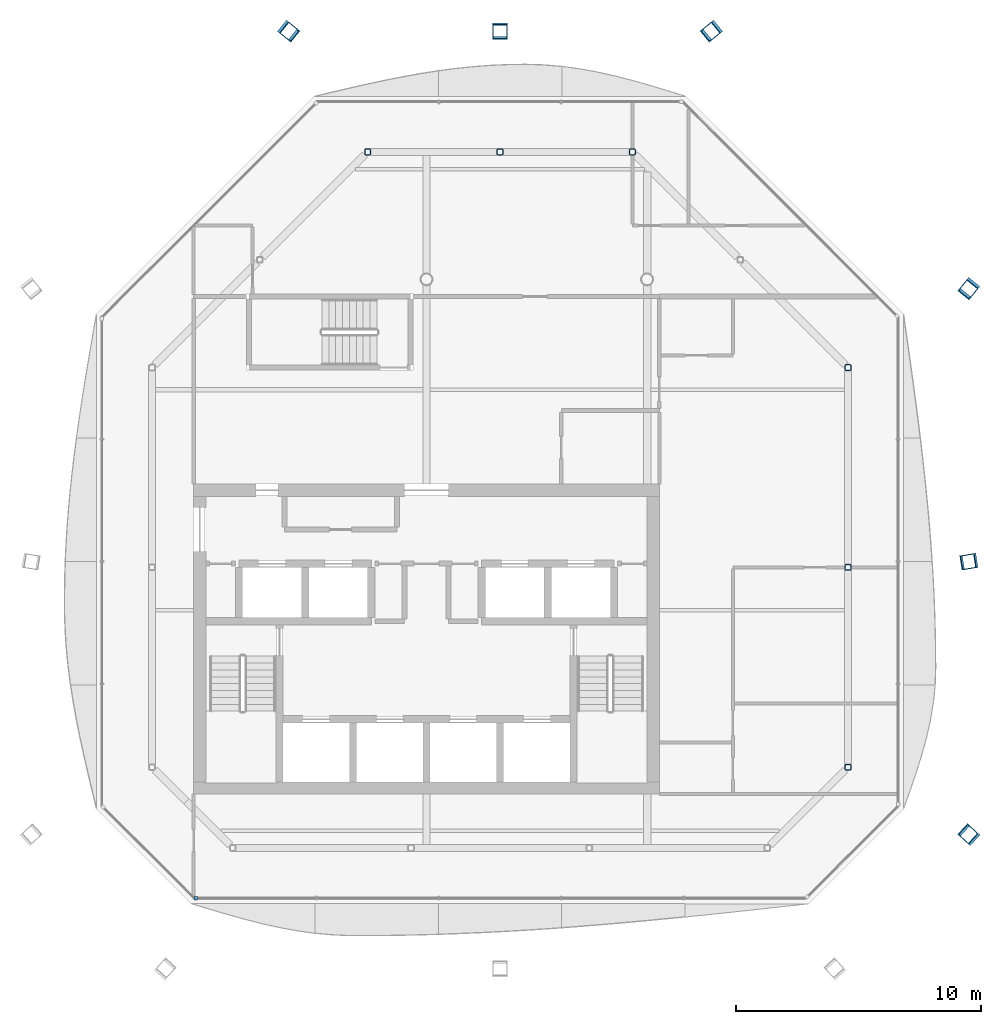
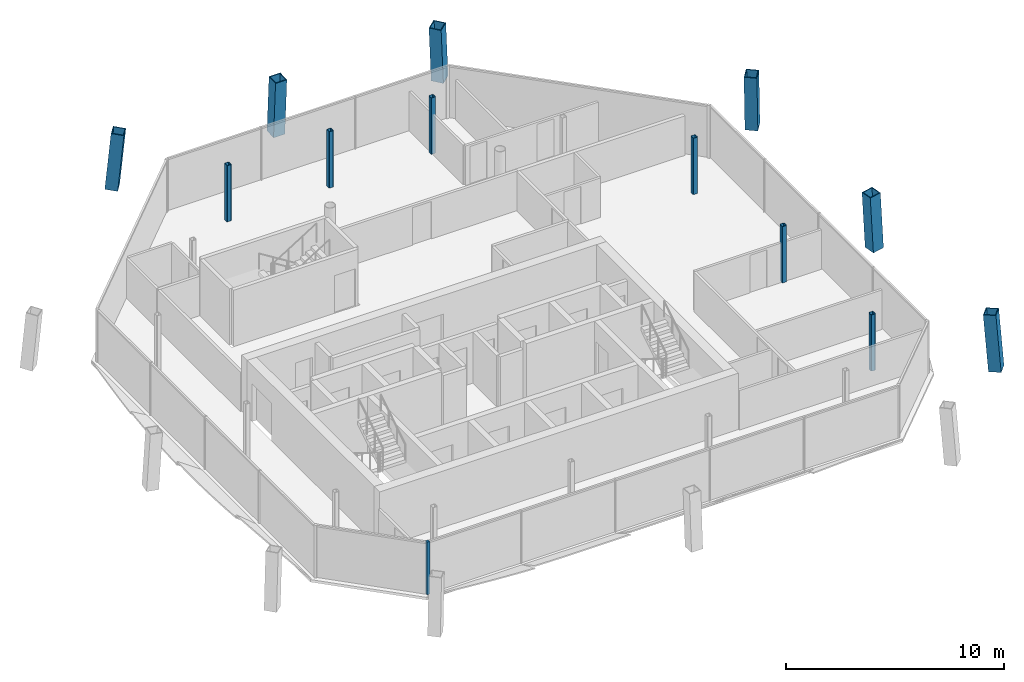
# One storey, part 2 of 14: 12 columns, 1 member, 1 element without a shape of its own.
"""IFC4 building model written with IfcOpenShell, lengths in metres."""

from ifc_helpers import new_model, si_unit, direction, frame, origin, origin_2d, place, context, subcontext, project, spatial, rectangle, hollow_rectangle, extrude, material, material_profile, profile_set, type_object, element, aggregate, save


model = new_model("IFC4")

# Units and contexts
model_context = context("Model", 3, precision=1e-05, world=origin(), true_north=direction((0.0, 1.0)))
body_context = subcontext(model_context, "Body", "Model", "MODEL_VIEW")
ifc_project = project(units=[si_unit("LENGTHUNIT", "METRE"), si_unit("AREAUNIT", "SQUARE_METRE"), si_unit("VOLUMEUNIT", "CUBIC_METRE"), si_unit("PLANEANGLEUNIT", "RADIAN"), si_unit("MASSUNIT", "GRAM", prefix="KILO")], contexts=[model_context])

# Site, building, storey
site_placement = place(None, origin())
site = spatial("IfcSite", under=ifc_project, at=site_placement, CompositionType="ELEMENT")
building_placement = place(site_placement, origin())
building = spatial("IfcBuilding", under=site, at=building_placement, Name="Tskaro Facet Tower", CompositionType="ELEMENT")
storey_placement = place(building_placement, frame((0.0, 0.0, 272.10009765625)))
storey = spatial("IfcBuildingStorey", under=building, at=storey_placement, Name="L72", CompositionType="ELEMENT", Elevation=272.10009765625)

# Columns
ifc_material_1 = material(Name="Steel S355J2", Category="steel")
ifc_material_profile_1 = material_profile(ifc_material_1, hollow_rectangle(XDim=0.60009765625, YDim=0.60009765625, WallThickness=0.0400390625, at=origin_2d()), Name="BOX 600x600x40")
ifc_profile_set_1 = profile_set([ifc_material_profile_1], Name="Steel S355J2")
column_type_1 = type_object("IfcColumnType", Name="BOX 600x600x40 mega column", PredefinedType="COLUMN", material=ifc_profile_set_1)
column_1_placement = place(storey_placement, frame((22.1630859375, -13.68798828125, 0.0), z_axis=(-0.057951446548, 0.052851719252, 0.996919417814), x_axis=(-0.673848784787, -0.738869281565, 0.0)))
element("IfcColumn", 1, at=column_1_placement, inside=storey, type_object=column_type_1, Name="BOX 600x600x40 MC04/6", PredefinedType="COLUMN", context=body_context, shape_type="SweptSolid", body=[
    extrude(hollow_rectangle(XDim=0.60009765625, YDim=0.60009765625, WallThickness=0.0400390625, at=origin_2d()), origin(), (0.0, 0.0, 1.0), 3.15966796875),
])
column_2_placement = place(storey_placement, frame((22.1630859375, -2.510986328125, 0.0), z_axis=(-0.058029926409, -0.009516907931, 0.998269480704), x_axis=(0.161838042552, -0.986817332632, 0.0)))
element("IfcColumn", 2, at=column_2_placement, inside=storey, type_object=column_type_1, Name="BOX 600x600x40 MC05/6", PredefinedType="COLUMN", context=body_context, shape_type="SweptSolid", body=[
    extrude(hollow_rectangle(XDim=0.60009765625, YDim=0.60009765625, WallThickness=0.0400390625, at=origin_2d()), origin(), (0.0, 0.0, 1.0), 3.1552734375),
])
for number, where, z_axis, x_axis, name in (
    (3, (22.1630859375, 8.666015625, 0.0), (-0.057884160553, -0.071467643563, 0.995761919276), (0.777088504756, -0.629391337545, 0.0), "BOX 600x600x40 MC06/6"),
    (4, (11.666015625, 19.1630859375, 0.0), (-0.071467643563, -0.057884160553, 0.995761919276), (0.629391337545, -0.777088504756, 0.0), "BOX 600x600x40 MC07/6"),
):
    element("IfcColumn", number, at=place(storey_placement, frame(where, z_axis=z_axis, x_axis=x_axis)), inside=storey, type_object=column_type_1, Name=name, PredefinedType="COLUMN", context=body_context, shape_type="SweptSolid", body=[
        extrude(hollow_rectangle(XDim=0.60009765625, YDim=0.60009765625, WallThickness=0.0400390625, at=origin_2d()), origin(), (0.0, 0.0, 1.0), 3.163330078125),
    ])
column_3_placement = place(storey_placement, frame((3.0, 19.1630859375, 0.0), z_axis=(0.0, -0.058032554517, 0.998314691175), x_axis=(1.0, 0.0, 0.0)))
element("IfcColumn", 5, at=column_3_placement, inside=storey, type_object=column_type_1, Name="BOX 600x600x40 MC08/6", PredefinedType="COLUMN", context=body_context, shape_type="SweptSolid", body=[
    extrude(hollow_rectangle(XDim=0.60009765625, YDim=0.60009765625, WallThickness=0.0400390625, at=origin_2d()), origin(), (0.0, 0.0, 1.0), 3.1552734375),
])
column_4_placement = place(storey_placement, frame((-5.666015625, 19.1630859375, 0.0), z_axis=(0.071467643563, -0.057884160553, 0.995761919276), x_axis=(0.629391337545, 0.777088504756, 0.0)))
element("IfcColumn", 6, at=column_4_placement, inside=storey, type_object=column_type_1, Name="BOX 600x600x40 MC09/6", PredefinedType="COLUMN", context=body_context, shape_type="SweptSolid", body=[
    extrude(hollow_rectangle(XDim=0.60009765625, YDim=0.60009765625, WallThickness=0.0400390625, at=origin_2d()), origin(), (0.0, 0.0, 1.0), 3.163330078125),
])
ifc_material_2 = material(Name="Steel S355J2H", Category="steel")
ifc_material_profile_2 = material_profile(ifc_material_2, hollow_rectangle(XDim=0.25, YDim=0.25, WallThickness=0.02001953125, InnerFilletRadius=0.030029296875, OuterFilletRadius=0.050048828125, at=origin_2d()), Name="SHS 250x250x20")
ifc_profile_set_2 = profile_set([ifc_material_profile_2], Name="Steel S355J2H")
column_type_2 = type_object("IfcColumnType", Name="SHS 250x250x20 ring column", PredefinedType="COLUMN", material=ifc_profile_set_2)
for number, where, z_axis, x_axis, name in (
    (7, (17.199951171875, -10.903076171875, 0.0), (0.0, 0.0, 1.0), (1.0, 0.0, 0.0), "SHS 250x250x20 RE-1/6"),
    (8, (17.199951171875, -2.75, 0.0), (0.0, 0.0, 1.0), (1.0, 0.0, 0.0), "SHS 250x250x20 RE-2/6"),
    (9, (17.199951171875, 5.403076171875, 0.0), (0.0, 0.0, 1.0), (1.0, 0.0, 0.0), "SHS 250x250x20 RNE-1/6"),
    (10, (8.403076171875, 14.199951171875, 0.0), (0.0, 0.0, 1.0), (1.0, 0.0, 0.0), "SHS 250x250x20 RN-1/6"),
    (11, (3.0, 14.199951171875, 0.0), (0.0, 0.0, 1.0), (1.0, 0.0, 0.0), "SHS 250x250x20 RN-2/6"),
    (12, (-2.403076171875, 14.199951171875, 0.0), (0.0, 0.0, 1.0), (1.0, 0.0, 0.0), "SHS 250x250x20 RNW-1/6"),
):
    element("IfcColumn", number, at=place(storey_placement, frame(where, z_axis=z_axis, x_axis=x_axis)), inside=storey, type_object=column_type_2, Name=name, PredefinedType="COLUMN", context=body_context, shape_type="SweptSolid", body=[
        extrude(hollow_rectangle(XDim=0.25, YDim=0.25, WallThickness=0.02001953125, InnerFilletRadius=0.030029296875, OuterFilletRadius=0.050048828125, at=origin_2d()), origin(), (0.0, 0.0, 1.0), 3.14990234375),
    ])

# Curtain wall, member
ifc_material_3 = material(Name="Bronze anodised aluminium 6063-T6", Category="aluminium")
curtain_wall_type = type_object("IfcCurtainWallType", Name="Bronze residence curtain wall (FW3)", PredefinedType="NOTDEFINED", material=ifc_material_3)
curtain_wall_placement = place(storey_placement, origin())
curtain_wall = element("IfcCurtainWall", 13, at=curtain_wall_placement, inside=storey, type_object=curtain_wall_type, Name="FW3 south facet L72", PredefinedType="NOTDEFINED")
ifc_material_profile_3 = material_profile(ifc_material_3, rectangle(XDim=0.139892578125, YDim=0.139892578125, at=origin_2d()), Name="Corner post 140x140")
ifc_profile_set_3 = profile_set([ifc_material_profile_3], Name="Bronze anodised aluminium 6063-T6")
member_type = type_object("IfcMemberType", Name="FW3 bronze corner post 140x140", PredefinedType="MULLION", material=ifc_profile_set_3)
member_placement = place(storey_placement, frame((-9.408935546875, -16.24609375, 0.0), z_axis=(0.0, 0.0, 1.0), x_axis=(1.0, 0.0, 0.0)))
member = element("IfcMember", 14, at=member_placement, type_object=member_type, Name="FW3 south corner post", PredefinedType="MULLION", context=body_context, shape_type="SweptSolid", body=[
    extrude(rectangle(XDim=0.139892578125, YDim=0.139892578125, at=origin_2d()), origin(), (0.0, 0.0, 1.0), 2.949951171875),
])
aggregate(curtain_wall, [member])

save(model, "model.ifc")
